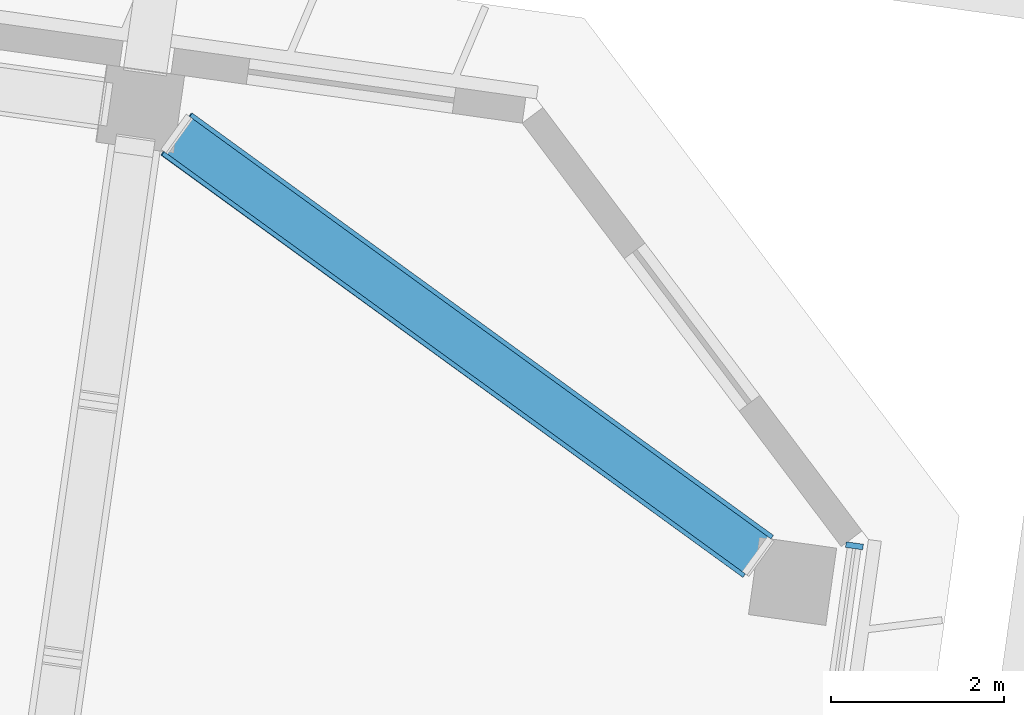
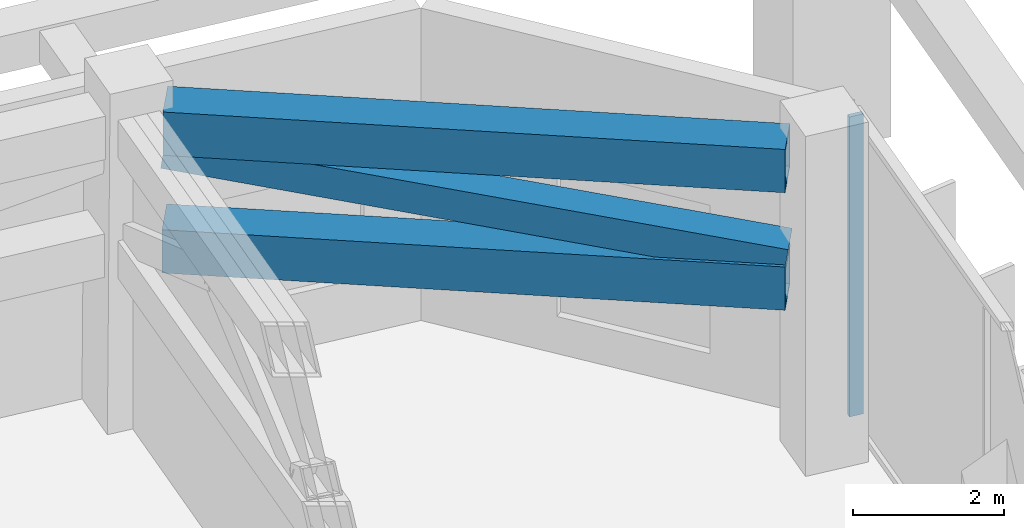
# One storey, part 11 of 41: 4 members, 1 element without a shape of its own.
"""IFC4 building model written with IfcOpenShell, lengths in metres."""

from ifc_helpers import new_model, si_unit, direction, frame, origin, origin_2d, place, context, subcontext, project, spatial, rectangle, hollow_rectangle, extrude, material, material_profile, profile_set, type_object, element, aggregate, save


model = new_model("IFC4")

# Units and contexts
model_context = context("Model", 3, precision=1e-05, world=origin(), true_north=direction((0.0, 1.0)))
body_context = subcontext(model_context, "Body", "Model", "MODEL_VIEW")
ifc_project = project(units=[si_unit("LENGTHUNIT", "METRE"), si_unit("AREAUNIT", "SQUARE_METRE"), si_unit("VOLUMEUNIT", "CUBIC_METRE"), si_unit("PLANEANGLEUNIT", "RADIAN"), si_unit("MASSUNIT", "GRAM", prefix="KILO")], contexts=[model_context])

# Site, building, storey
site_placement = place(None, origin())
site = spatial("IfcSite", under=ifc_project, at=site_placement, CompositionType="ELEMENT")
building_placement = place(site_placement, origin())
building = spatial("IfcBuilding", under=site, at=building_placement, Name="Mirante Cascada Hotel Towers", CompositionType="ELEMENT")
storey_placement = place(building_placement, frame((0.0, 0.0, 151.9)))
storey = spatial("IfcBuildingStorey", under=building, at=storey_placement, Name="L35", CompositionType="ELEMENT", Elevation=151.9)

# Members
ifc_material_1 = material(Name="Steel ASTM A572 Gr 50", Category="steel")
ifc_material_profile_1 = material_profile(ifc_material_1, hollow_rectangle(XDim=0.6, YDim=0.7, WallThickness=0.05, at=origin_2d()), Name="Box chord 700x600x50 ASTM A572 Gr 50")
ifc_profile_set_1 = profile_set([ifc_material_profile_1], Name="Steel ASTM A572 Gr 50")
member_type_1 = type_object("IfcMemberType", Name="Box chord 700x600x50 ASTM A572 Gr 50", PredefinedType="CHORD", material=ifc_profile_set_1)
member_1_placement = place(storey_placement, frame((-29.2539, 12.1639, 4.7), z_axis=(-0.8090402, 0.5877533, 0.0), x_axis=(-0.5877533, -0.8090402, 0.0)))
element("IfcMember", 1, at=member_1_placement, inside=storey, type_object=member_type_1, Name="belt T1 L35 1", PredefinedType="CHORD", context=body_context, shape_type="SweptSolid", body=[
    extrude(hollow_rectangle(XDim=0.6, YDim=0.7, WallThickness=0.05, at=origin_2d()), origin(), (0.0, 0.0, 1.0), 8.287),
])
member_2_placement = place(storey_placement, frame((-29.2539, 12.1635, 2.8), z_axis=(-0.8094348, 0.5872098, 0.0), x_axis=(-0.5872098, -0.8094348, 0.0)))
element("IfcMember", 2, at=member_2_placement, inside=storey, type_object=member_type_1, Name="belt T1 L35 2", PredefinedType="CHORD", context=body_context, shape_type="SweptSolid", body=[
    extrude(hollow_rectangle(XDim=0.6, YDim=0.7, WallThickness=0.05, at=origin_2d()), origin(), (0.0, 0.0, 1.0), 8.2992),
])
ifc_material_2 = material(Name="Steel ASTM A572 Gr 50", Category="steel")
ifc_material_profile_2 = material_profile(ifc_material_2, hollow_rectangle(XDim=0.5, YDim=0.5, WallThickness=0.035, at=origin_2d()), Name="Box diagonal 500x500x35 ASTM A572 Gr 50")
ifc_profile_set_2 = profile_set([ifc_material_profile_2], Name="Steel ASTM A572 Gr 50")
member_type_2 = type_object("IfcMemberType", Name="Box diagonal 500x500x35 ASTM A572 Gr 50", PredefinedType="BRACE", material=ifc_profile_set_2)
member_3_placement = place(storey_placement, frame((-29.2539, 12.1635, 3.15), z_axis=(-0.8006668, 0.581718, 0.1433068), x_axis=(-0.5877849, -0.8090172, 0.0)))
element("IfcMember", 3, at=member_3_placement, inside=storey, type_object=member_type_2, Name="belt T1 L35 3", PredefinedType="BRACE", context=body_context, shape_type="SweptSolid", body=[
    extrude(hollow_rectangle(XDim=0.5, YDim=0.5, WallThickness=0.035, at=origin_2d()), origin(), (0.0, 0.0, 1.0), 8.3736),
])

# Curtain wall, member
ifc_material_3 = material(Name="Aluminium mullion and transom frame with clear laminated glass", Category="aluminium")
curtain_wall_type = type_object("IfcCurtainWallType", Name="End ribbon curtain wall ECW2", PredefinedType="NOTDEFINED", material=ifc_material_3)
curtain_wall_placement = place(storey_placement, origin())
curtain_wall = element("IfcCurtainWall", 4, at=curtain_wall_placement, inside=storey, type_object=curtain_wall_type, Name="Inner end wall T1 L35", PredefinedType="NOTDEFINED")
ifc_material_4 = material(Name="Anodised aluminium extrusion", Category="aluminium")
ifc_material_profile_3 = material_profile(ifc_material_4, rectangle(XDim=0.2, YDim=0.065, at=origin_2d()), Name="ECW2 MULLION 65x200")
ifc_profile_set_3 = profile_set([ifc_material_profile_3], Name="Anodised aluminium extrusion")
member_type_3 = type_object("IfcMemberType", Name="ECW2 mullion 65x200", PredefinedType="MULLION", material=ifc_profile_set_3)
member_4_placement = place(storey_placement, frame((-28.1437, 12.2861, 0.1), z_axis=(0.0, 0.0, 1.0), x_axis=(0.9902681, -0.1391731, 0.0)))
member_4 = element("IfcMember", 5, at=member_4_placement, type_object=member_type_3, Name="ECW2 mullion 1", PredefinedType="MULLION", context=body_context, shape_type="SweptSolid", body=[
    extrude(rectangle(XDim=0.2, YDim=0.065, at=origin_2d()), origin(), (0.0, 0.0, 1.0), 4.85),
])
aggregate(curtain_wall, [member_4])

save(model, "model.ifc")
